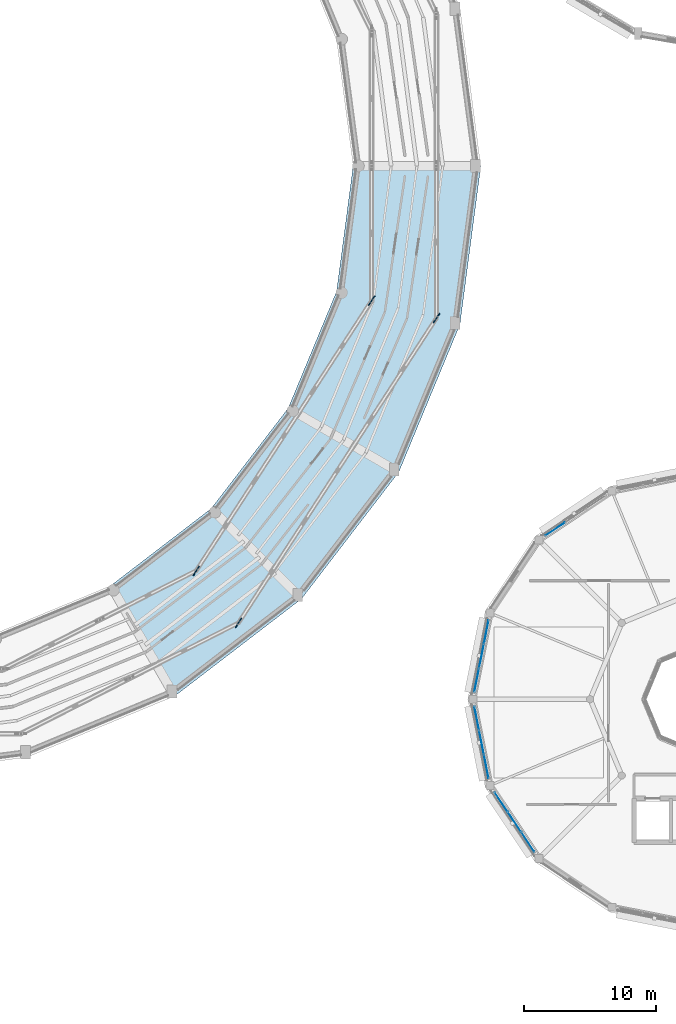
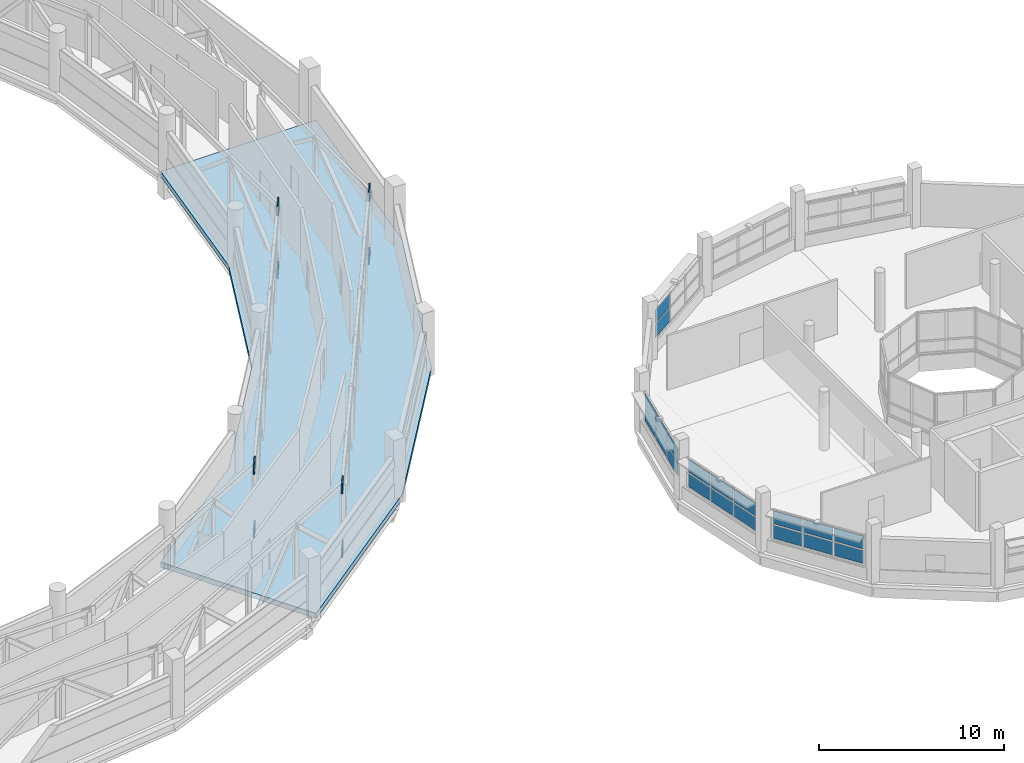
# One storey, part 90 of 121: 28 plates, 1 slab, 4 elements without a shape of their own.
"""IFC4 building model written with IfcOpenShell, lengths in metres."""

import ifcopenshell
import ifcopenshell.guid

model = None  # the IFC model being written
_history = None  # IfcOwnerHistory: only IFC2X3 demands one
_inside = {}  # id of a spatial element -> (the spatial element, [elements in it])
_under = {}  # id of a project, library or spatial element -> (it, [spatial elements below it])
_declared = {}  # id of a project -> (the project, [libraries it declares])
_typed = {}  # id of a type object -> (the type object, [elements of that type])
_made_of = {}  # id of a material, layer set ... -> (it, [elements and type objects made of it])


def new_model(schema):
    """Start an empty IFC model of exactly this schema.

    Asked for "IFC4X3", IfcOpenShell would pick the latest addendum, in which some entities
    have other attributes; the version numbers below select the first issue.
    IFC2X3 requires an IfcOwnerHistory on every rooted entity: one is made here for all.
    """
    global model, _history
    if schema == "IFC4X3":
        model = ifcopenshell.file(schema_version=(4, 3, 0, 0))
    else:
        model = ifcopenshell.file(schema=schema)
    _inside.clear()
    _under.clear()
    _declared.clear()
    _typed.clear()
    _made_of.clear()
    _history = None
    if model.schema == "IFC2X3":
        org = make("IfcOrganization", Name="unknown")
        user = make(
            "IfcPersonAndOrganization",
            ThePerson=make("IfcPerson", FamilyName="unknown"),
            TheOrganization=org,
        )
        app = make(
            "IfcApplication",
            ApplicationDeveloper=org,
            Version="unknown",
            ApplicationFullName="unknown",
            ApplicationIdentifier="unknown",
        )
        _history = make(
            "IfcOwnerHistory",
            OwningUser=user,
            OwningApplication=app,
            ChangeAction="ADDED",
            CreationDate=0,
        )
    return model


def make(cls, **values):
    """One entity of the class cls with the attributes given. An attribute that is None is left unset."""
    return model.create_entity(
        cls, **{name: value for name, value in values.items() if value is not None}
    )


def rooted(cls, **values):
    """An entity with a GlobalId (a new one), such as an element, a storey or a relation."""
    return make(cls, GlobalId=ifcopenshell.guid.new(), OwnerHistory=_history, **values)


def si_unit(unit_type, name, prefix=None):
    """IfcSIUnit, for example si_unit("LENGTHUNIT", "METRE", prefix="MILLI")."""
    return make("IfcSIUnit", UnitType=unit_type, Prefix=prefix, Name=name)


def assignment(units):
    """IfcUnitAssignment: the units of a project."""
    return None if units is None else make("IfcUnitAssignment", Units=units)


def point(xyz):
    """IfcCartesianPoint."""
    return None if xyz is None else make("IfcCartesianPoint", Coordinates=xyz)


def direction(xyz):
    """IfcDirection."""
    return None if xyz is None else make("IfcDirection", DirectionRatios=xyz)


def frame(location, z_axis=None, x_axis=None):
    """IfcAxis2Placement3D, a coordinate frame: its origin and axes. An axis left out is left unset."""
    return make(
        "IfcAxis2Placement3D",
        Location=point(location),
        Axis=direction(z_axis),
        RefDirection=direction(x_axis),
    )


def frame_2d(location, x_axis=None):
    """IfcAxis2Placement2D, a coordinate frame in the plane: its origin and x axis."""
    return make(
        "IfcAxis2Placement2D", Location=point(location), RefDirection=direction(x_axis)
    )


def origin():
    """The frame at (0, 0, 0) with its axes left unset."""
    return frame((0.0, 0.0, 0.0))


def origin_2d():
    """The frame at (0, 0) in the plane with its x axis left unset."""
    return frame_2d((0.0, 0.0))


def place(relative_to, where):
    """IfcLocalPlacement: puts the frame where relative to a parent placement (None: the world)."""
    return make(
        "IfcLocalPlacement", PlacementRelTo=relative_to, RelativePlacement=where
    )


def context(
    kind, dimensions, precision=None, world=None, true_north=None, identifier=None
):
    """IfcGeometricRepresentationContext, for example the 3D "Model" context."""
    return make(
        "IfcGeometricRepresentationContext",
        ContextIdentifier=identifier,
        ContextType=kind,
        CoordinateSpaceDimension=dimensions,
        Precision=precision,
        WorldCoordinateSystem=world,
        TrueNorth=true_north,
    )


def subcontext(parent, identifier, kind, view, scale=None):
    """IfcGeometricRepresentationSubContext, for example "Body" below "Model"."""
    return make(
        "IfcGeometricRepresentationSubContext",
        ContextIdentifier=identifier,
        ContextType=kind,
        ParentContext=parent,
        TargetScale=scale,
        TargetView=view,
    )


def project(units=None, contexts=None):
    """IfcProject with its units and contexts."""
    return rooted(
        "IfcProject",
        Name="project",
        RepresentationContexts=contexts,
        UnitsInContext=assignment(units),
    )


def spatial(cls, under=None, at=None, **own):
    """A site, building, storey or space (cls), placed at a placement, below another one or the project."""
    s = rooted(cls, ObjectPlacement=at, **own)
    if under is not None:
        _under.setdefault(under.id(), (under, []))[1].append(s)
    return s


def polyline(points):
    """IfcPolyline through the points."""
    return make("IfcPolyline", Points=[point(p) for p in points])


def profile(cls, at=None, kind="AREA", **sizes):
    """A parametric profile (cls). Its sizes go by their IFC names, for example OverallWidth=200.0."""
    return make(cls, ProfileType=kind, Position=at, **sizes)


def rectangle(**sizes):
    """IfcRectangleProfileDef."""
    return profile("IfcRectangleProfileDef", **sizes)


def outline(outer, holes=None, kind="AREA"):
    """IfcArbitraryClosedProfileDef: a profile drawn as a closed curve; with holes, ...WithVoids."""
    if holes is None:
        return make("IfcArbitraryClosedProfileDef", ProfileType=kind, OuterCurve=outer)
    return make(
        "IfcArbitraryProfileDefWithVoids",
        ProfileType=kind,
        OuterCurve=outer,
        InnerCurves=holes,
    )


def extrude(swept, where, along, depth):
    """IfcExtrudedAreaSolid: the profile swept, set in the frame where, extruded along a direction by depth."""
    return make(
        "IfcExtrudedAreaSolid",
        SweptArea=swept,
        Position=where,
        ExtrudedDirection=direction(along),
        Depth=depth,
    )


def shape(context_of_items, identifier, shape_type, items):
    """IfcShapeRepresentation: the items that make up one representation, for example the "Body"."""
    return make(
        "IfcShapeRepresentation",
        ContextOfItems=context_of_items,
        RepresentationIdentifier=identifier,
        RepresentationType=shape_type,
        Items=items,
    )


def material(Name=None, Category=None):
    """IfcMaterial."""
    return make("IfcMaterial", Name=Name, Category=Category)


def layer(
    of_material, thickness, ventilated=None, Name=None, Category=None, Priority=None
):
    """IfcMaterialLayer: one layer of a wall or slab, of a material (None: an air gap)."""
    return make(
        "IfcMaterialLayer",
        Material=of_material,
        LayerThickness=thickness,
        IsVentilated=ventilated,
        Name=Name,
        Category=Category,
        Priority=Priority,
    )


def layer_set(layers, Name=None):
    """IfcMaterialLayerSet."""
    return make("IfcMaterialLayerSet", MaterialLayers=layers, LayerSetName=Name)


def made_of(thing, what):
    """Note that an element or type object is made of a material, layer set ...; save() writes the relation."""
    if what is not None:
        _made_of.setdefault(what.id(), (what, []))[1].append(thing)
    return thing


def type_object(cls, material=None, **own):
    """A type object (cls), such as IfcWallType, which elements share."""
    return made_of(rooted(cls, **own), material)


def element(
    cls,
    number,
    at=None,
    inside=None,
    cuts=None,
    type_object=None,
    material=None,
    context=None,
    identifier="Body",
    shape_type=None,
    held_by="IfcProductDefinitionShape",
    body=None,
    shapes=None,
    **own,
):
    """One element of the class cls, such as IfcWall. Its Tag is "e" and its number.

    at: its placement. inside: the storey or other place that contains it. cuts: it is an
    opening in that element (IfcRelVoidsElement). A single representation is given by context,
    identifier, shape_type and body (its items); several are given by shapes. held_by: the class
    of the entity that holds the representations. save() writes the other relations.
    """
    e = rooted(cls, Tag="e%d" % number, ObjectPlacement=at, **own)
    if body is not None:
        shapes = [shape(context, identifier, shape_type, body)]
    if shapes is not None:
        e.Representation = make(held_by, Representations=shapes)
    if inside is not None:
        _inside.setdefault(inside.id(), (inside, []))[1].append(e)
    if cuts is not None:
        rooted(
            "IfcRelVoidsElement", RelatingBuildingElement=cuts, RelatedOpeningElement=e
        )
    if type_object is not None:
        _typed.setdefault(type_object.id(), (type_object, []))[1].append(e)
    return made_of(e, material)


def aggregate(whole, parts):
    """IfcRelAggregates: a whole, such as a stair, and the parts it consists of."""
    return rooted("IfcRelAggregates", RelatingObject=whole, RelatedObjects=parts)


def save(model, path):
    """Write the relations noted so far, then the file.

    IfcRelAggregates (storeys below a building ...), IfcRelContainedInSpatialStructure (elements
    in a storey), IfcRelDefinesByType, IfcRelAssociatesMaterial and IfcRelDeclares: one each for
    every whole, place, type object, material and project.
    """
    for whole, parts in _under.values():
        aggregate(whole, parts)
    for where, things in _inside.values():
        rooted(
            "IfcRelContainedInSpatialStructure",
            RelatedElements=things,
            RelatingStructure=where,
        )
    for kind, things in _typed.values():
        rooted("IfcRelDefinesByType", RelatedObjects=things, RelatingType=kind)
    for what, things in _made_of.values():
        rooted("IfcRelAssociatesMaterial", RelatedObjects=things, RelatingMaterial=what)
    for by, libraries in _declared.values():
        rooted("IfcRelDeclares", RelatingContext=by, RelatedDefinitions=libraries)
    model.write(path)


model = new_model("IFC4")

# Units and contexts
model_context = context("Model", 3, precision=1e-05, world=origin(), true_north=direction((0.0, 1.0)))
body_context = subcontext(model_context, "Body", "Model", "MODEL_VIEW")
ifc_project = project(units=[si_unit("LENGTHUNIT", "METRE"), si_unit("AREAUNIT", "SQUARE_METRE"), si_unit("VOLUMEUNIT", "CUBIC_METRE"), si_unit("PLANEANGLEUNIT", "RADIAN"), si_unit("MASSUNIT", "GRAM", prefix="KILO")], contexts=[model_context])

# Site, building, storey
site_placement = place(None, origin())
site = spatial("IfcSite", under=ifc_project, at=site_placement, CompositionType="ELEMENT")
building_placement = place(site_placement, origin())
building = spatial("IfcBuilding", under=site, at=building_placement, Name="Vespera Passage Community Centre", CompositionType="ELEMENT")
storey_placement = place(building_placement, frame((0.0, 0.0, 8.699951171875)))
storey = spatial("IfcBuildingStorey", under=building, at=storey_placement, Name="L02", CompositionType="ELEMENT", Elevation=8.699951171875)

# Curtain wall, plates
ifc_material_1 = material(Name="Anodized aluminium 6063-T6", Category="aluminium")
ifc_layer_1 = layer(ifc_material_1, 0.159912109375)
ifc_layer_set_1 = layer_set([ifc_layer_1], Name="Anodized aluminium 6063-T6")
curtain_wall_type_1 = type_object("IfcCurtainWallType", Name="CW-109E", PredefinedType="NOTDEFINED", material=ifc_layer_set_1)
curtain_wall_1_placement = place(storey_placement, origin())
curtain_wall_1 = element("IfcCurtainWall", 1, at=curtain_wall_1_placement, inside=storey, type_object=curtain_wall_type_1, Name="Dining Drum Ribbon Curtain Wall L02.6", PredefinedType="NOTDEFINED")
ifc_material_2 = material(Name="Low-E insulated vision glass", Category="glass")
ifc_layer_2 = layer(ifc_material_2, 0.02001953125)
ifc_layer_set_2 = layer_set([ifc_layer_2], Name="Low-E insulated vision glass")
plate_type_1 = type_object("IfcPlateType", Name="PL-CWP-20E", PredefinedType="CURTAIN_PANEL", material=ifc_layer_set_2)
plate_1_placement = place(storey_placement, frame((130.157470703125, 37.926025390625, 0.900146484375), z_axis=(0.0, 0.0, 1.0), x_axis=(0.831473308708, 0.555564700918, 0.0)))
plate_1 = element("IfcPlate", 2, at=plate_1_placement, type_object=plate_type_1, Name="CW-109E panel 1.1", PredefinedType="CURTAIN_PANEL", context=body_context, shape_type="SweptSolid", body=[
    extrude(rectangle(XDim=1.752685546875, YDim=0.02001953125, at=origin_2d()), origin(), (0.0, 0.0, 1.0), 0.857421875),
])
plate_2_placement = place(storey_placement, frame((130.157470703125, 37.926025390625, 1.857666015625), z_axis=(0.0, 0.0, 1.0), x_axis=(0.831473308708, 0.555564700918, 0.0)))
plate_2 = element("IfcPlate", 3, at=plate_2_placement, type_object=plate_type_1, Name="CW-109E panel 1.2", PredefinedType="CURTAIN_PANEL", context=body_context, shape_type="SweptSolid", body=[
    extrude(rectangle(XDim=1.752685546875, YDim=0.02001953125, at=origin_2d()), origin(), (0.0, 0.0, 1.0), 0.857421875),
])
aggregate(curtain_wall_1, [plate_1, plate_2])

ifc_material_3 = material(Name="Anodized aluminium 6063-T6", Category="aluminium")
ifc_layer_3 = layer(ifc_material_3, 0.159912109375)
ifc_layer_set_3 = layer_set([ifc_layer_3], Name="Anodized aluminium 6063-T6")
curtain_wall_type_2 = type_object("IfcCurtainWallType", Name="CW-108E", PredefinedType="NOTDEFINED", material=ifc_layer_set_3)
curtain_wall_2_placement = place(storey_placement, origin())
curtain_wall_2 = element("IfcCurtainWall", 4, at=curtain_wall_2_placement, inside=storey, type_object=curtain_wall_type_2, Name="Dining Drum Ribbon Curtain Wall L02.8", PredefinedType="NOTDEFINED")
plate_3_placement = place(storey_placement, frame((124.18603515625, 26.4375, 0.900146484375), z_axis=(0.0, 0.0, 1.0), x_axis=(0.195096778691, 0.980783996069, 0.0)))
plate_3 = element("IfcPlate", 5, at=plate_3_placement, type_object=plate_type_1, Name="CW-108E panel 1.1", PredefinedType="CURTAIN_PANEL", context=body_context, shape_type="SweptSolid", body=[
    extrude(rectangle(XDim=1.789306640625, YDim=0.02001953125, at=origin_2d()), origin(), (0.0, 0.0, 1.0), 0.857421875),
])
plate_4_placement = place(storey_placement, frame((124.18603515625, 26.4375, 1.857666015625), z_axis=(0.0, 0.0, 1.0), x_axis=(0.195096778691, 0.980783996069, 0.0)))
plate_4 = element("IfcPlate", 6, at=plate_4_placement, type_object=plate_type_1, Name="CW-108E panel 1.2", PredefinedType="CURTAIN_PANEL", context=body_context, shape_type="SweptSolid", body=[
    extrude(rectangle(XDim=1.789306640625, YDim=0.02001953125, at=origin_2d()), origin(), (0.0, 0.0, 1.0), 0.857421875),
])
plate_5_placement = place(storey_placement, frame((124.55078125, 28.27197265625, 0.900146484375), z_axis=(0.0, 0.0, 1.0), x_axis=(0.195096778691, 0.980783996069, 0.0)))
plate_5 = element("IfcPlate", 7, at=plate_5_placement, type_object=plate_type_1, Name="CW-108E panel 2.1", PredefinedType="CURTAIN_PANEL", context=body_context, shape_type="SweptSolid", body=[
    extrude(rectangle(XDim=1.82177734375, YDim=0.02001953125, at=origin_2d()), origin(), (0.0, 0.0, 1.0), 0.857421875),
])
plate_6_placement = place(storey_placement, frame((124.55078125, 28.27197265625, 1.857666015625), z_axis=(0.0, 0.0, 1.0), x_axis=(0.195096778691, 0.980783996069, 0.0)))
plate_6 = element("IfcPlate", 8, at=plate_6_placement, type_object=plate_type_1, Name="CW-108E panel 2.2", PredefinedType="CURTAIN_PANEL", context=body_context, shape_type="SweptSolid", body=[
    extrude(rectangle(XDim=1.82177734375, YDim=0.02001953125, at=origin_2d()), origin(), (0.0, 0.0, 1.0), 0.857421875),
])
plate_7_placement = place(storey_placement, frame((124.915771484375, 30.1064453125, 0.900146484375), z_axis=(0.0, 0.0, 1.0), x_axis=(0.195096778691, 0.980783996069, 0.0)))
plate_7 = element("IfcPlate", 9, at=plate_7_placement, type_object=plate_type_1, Name="CW-108E panel 3.1", PredefinedType="CURTAIN_PANEL", context=body_context, shape_type="SweptSolid", body=[
    extrude(rectangle(XDim=1.789306640625, YDim=0.02001953125, at=origin_2d()), origin(), (0.0, 0.0, 1.0), 0.857421875),
])
plate_8_placement = place(storey_placement, frame((124.915771484375, 30.1064453125, 1.857666015625), z_axis=(0.0, 0.0, 1.0), x_axis=(0.195096778691, 0.980783996069, 0.0)))
plate_8 = element("IfcPlate", 10, at=plate_8_placement, type_object=plate_type_1, Name="CW-108E panel 3.2", PredefinedType="CURTAIN_PANEL", context=body_context, shape_type="SweptSolid", body=[
    extrude(rectangle(XDim=1.789306640625, YDim=0.02001953125, at=origin_2d()), origin(), (0.0, 0.0, 1.0), 0.857421875),
])
aggregate(curtain_wall_2, [plate_3, plate_4, plate_5, plate_6, plate_7, plate_8])

curtain_wall_3_placement = place(storey_placement, origin())
curtain_wall_3 = element("IfcCurtainWall", 11, at=curtain_wall_3_placement, inside=storey, type_object=curtain_wall_type_2, Name="Dining Drum Ribbon Curtain Wall L02.9", PredefinedType="NOTDEFINED")
plate_9_placement = place(storey_placement, frame((124.915771484375, 19.8935546875, 0.900146484375), z_axis=(0.0, 0.0, 1.0), x_axis=(-0.195096778691, 0.980783996069, 0.0)))
plate_9 = element("IfcPlate", 12, at=plate_9_placement, type_object=plate_type_1, Name="CW-108E panel 1.1", PredefinedType="CURTAIN_PANEL", context=body_context, shape_type="SweptSolid", body=[
    extrude(rectangle(XDim=1.789306640625, YDim=0.02001953125, at=origin_2d()), origin(), (0.0, 0.0, 1.0), 0.857421875),
])
plate_10_placement = place(storey_placement, frame((124.915771484375, 19.8935546875, 1.857666015625), z_axis=(0.0, 0.0, 1.0), x_axis=(-0.195096778691, 0.980783996069, 0.0)))
plate_10 = element("IfcPlate", 13, at=plate_10_placement, type_object=plate_type_1, Name="CW-108E panel 1.2", PredefinedType="CURTAIN_PANEL", context=body_context, shape_type="SweptSolid", body=[
    extrude(rectangle(XDim=1.789306640625, YDim=0.02001953125, at=origin_2d()), origin(), (0.0, 0.0, 1.0), 0.857421875),
])
plate_11_placement = place(storey_placement, frame((124.55078125, 21.72802734375, 0.900146484375), z_axis=(0.0, 0.0, 1.0), x_axis=(-0.195096778691, 0.980783996069, 0.0)))
plate_11 = element("IfcPlate", 14, at=plate_11_placement, type_object=plate_type_1, Name="CW-108E panel 2.1", PredefinedType="CURTAIN_PANEL", context=body_context, shape_type="SweptSolid", body=[
    extrude(rectangle(XDim=1.82177734375, YDim=0.02001953125, at=origin_2d()), origin(), (0.0, 0.0, 1.0), 0.857421875),
])
plate_12_placement = place(storey_placement, frame((124.55078125, 21.72802734375, 1.857666015625), z_axis=(0.0, 0.0, 1.0), x_axis=(-0.195096778691, 0.980783996069, 0.0)))
plate_12 = element("IfcPlate", 15, at=plate_12_placement, type_object=plate_type_1, Name="CW-108E panel 2.2", PredefinedType="CURTAIN_PANEL", context=body_context, shape_type="SweptSolid", body=[
    extrude(rectangle(XDim=1.82177734375, YDim=0.02001953125, at=origin_2d()), origin(), (0.0, 0.0, 1.0), 0.857421875),
])
plate_13_placement = place(storey_placement, frame((124.18603515625, 23.5625, 0.900146484375), z_axis=(0.0, 0.0, 1.0), x_axis=(-0.195096778691, 0.980783996069, 0.0)))
plate_13 = element("IfcPlate", 16, at=plate_13_placement, type_object=plate_type_1, Name="CW-108E panel 3.1", PredefinedType="CURTAIN_PANEL", context=body_context, shape_type="SweptSolid", body=[
    extrude(rectangle(XDim=1.789306640625, YDim=0.02001953125, at=origin_2d()), origin(), (0.0, 0.0, 1.0), 0.857421875),
])
plate_14_placement = place(storey_placement, frame((124.18603515625, 23.5625, 1.857666015625), z_axis=(0.0, 0.0, 1.0), x_axis=(-0.195096778691, 0.980783996069, 0.0)))
plate_14 = element("IfcPlate", 17, at=plate_14_placement, type_object=plate_type_1, Name="CW-108E panel 3.2", PredefinedType="CURTAIN_PANEL", context=body_context, shape_type="SweptSolid", body=[
    extrude(rectangle(XDim=1.789306640625, YDim=0.02001953125, at=origin_2d()), origin(), (0.0, 0.0, 1.0), 0.857421875),
])
aggregate(curtain_wall_3, [plate_9, plate_10, plate_11, plate_12, plate_13, plate_14])

curtain_wall_4_placement = place(storey_placement, origin())
curtain_wall_4 = element("IfcCurtainWall", 18, at=curtain_wall_4_placement, inside=storey, type_object=curtain_wall_type_1, Name="Dining Drum Ribbon Curtain Wall L02.10", PredefinedType="NOTDEFINED")
plate_15_placement = place(storey_placement, frame((128.073974609375, 14.157470703125, 0.900146484375), z_axis=(0.0, 0.0, 1.0), x_axis=(-0.555564700918, 0.831473308708, 0.0)))
plate_15 = element("IfcPlate", 19, at=plate_15_placement, type_object=plate_type_1, Name="CW-109E panel 1.1", PredefinedType="CURTAIN_PANEL", context=body_context, shape_type="SweptSolid", body=[
    extrude(rectangle(XDim=1.752685546875, YDim=0.02001953125, at=origin_2d()), origin(), (0.0, 0.0, 1.0), 0.857421875),
])
plate_16_placement = place(storey_placement, frame((128.073974609375, 14.157470703125, 1.857666015625), z_axis=(0.0, 0.0, 1.0), x_axis=(-0.555564700918, 0.831473308708, 0.0)))
plate_16 = element("IfcPlate", 20, at=plate_16_placement, type_object=plate_type_1, Name="CW-109E panel 1.2", PredefinedType="CURTAIN_PANEL", context=body_context, shape_type="SweptSolid", body=[
    extrude(rectangle(XDim=1.752685546875, YDim=0.02001953125, at=origin_2d()), origin(), (0.0, 0.0, 1.0), 0.857421875),
])
plate_17_placement = place(storey_placement, frame((127.05517578125, 15.682373046875, 0.900146484375), z_axis=(0.0, 0.0, 1.0), x_axis=(-0.555564700918, 0.831473308708, 0.0)))
plate_17 = element("IfcPlate", 21, at=plate_17_placement, type_object=plate_type_1, Name="CW-109E panel 2.1", PredefinedType="CURTAIN_PANEL", context=body_context, shape_type="SweptSolid", body=[
    extrude(rectangle(XDim=1.78515625, YDim=0.02001953125, at=origin_2d()), origin(), (0.0, 0.0, 1.0), 0.857421875),
])
plate_18_placement = place(storey_placement, frame((127.05517578125, 15.682373046875, 1.857666015625), z_axis=(0.0, 0.0, 1.0), x_axis=(-0.555564700918, 0.831473308708, 0.0)))
plate_18 = element("IfcPlate", 22, at=plate_18_placement, type_object=plate_type_1, Name="CW-109E panel 2.2", PredefinedType="CURTAIN_PANEL", context=body_context, shape_type="SweptSolid", body=[
    extrude(rectangle(XDim=1.78515625, YDim=0.02001953125, at=origin_2d()), origin(), (0.0, 0.0, 1.0), 0.857421875),
])
plate_19_placement = place(storey_placement, frame((126.036376953125, 17.20703125, 0.900146484375), z_axis=(0.0, 0.0, 1.0), x_axis=(-0.555564700918, 0.831473308708, 0.0)))
plate_19 = element("IfcPlate", 23, at=plate_19_placement, type_object=plate_type_1, Name="CW-109E panel 3.1", PredefinedType="CURTAIN_PANEL", context=body_context, shape_type="SweptSolid", body=[
    extrude(rectangle(XDim=1.752685546875, YDim=0.02001953125, at=origin_2d()), origin(), (0.0, 0.0, 1.0), 0.857421875),
])
plate_20_placement = place(storey_placement, frame((126.036376953125, 17.20703125, 1.857666015625), z_axis=(0.0, 0.0, 1.0), x_axis=(-0.555564700918, 0.831473308708, 0.0)))
plate_20 = element("IfcPlate", 24, at=plate_20_placement, type_object=plate_type_1, Name="CW-109E panel 3.2", PredefinedType="CURTAIN_PANEL", context=body_context, shape_type="SweptSolid", body=[
    extrude(rectangle(XDim=1.752685546875, YDim=0.02001953125, at=origin_2d()), origin(), (0.0, 0.0, 1.0), 0.857421875),
])
aggregate(curtain_wall_4, [plate_15, plate_16, plate_17, plate_18, plate_19, plate_20])

# Plates
ifc_material_4 = material(Name="Steel ASTM A572 Grade 50", Category="steel")
ifc_layer_4 = layer(ifc_material_4, 0.074951171875)
ifc_layer_set_4 = layer_set([ifc_layer_4], Name="Steel ASTM A572 Grade 50")
plate_type_2 = type_object("IfcPlateType", Name="PL-NODE-75", PredefinedType="SHEET", material=ifc_layer_set_4)
for number, where, z_axis, x_axis, name in (
    (25, (106.09912109375, 30.80029296875, -1.10009765625), (0.0, 0.0, 1.0), (0.544639035015, 0.838670567945, 0.0), "Truss TR1O Gusset Plate B1"),
    (26, (106.09912109375, 30.80029296875, 3.110107421875), (0.0, 0.0, 1.0), (0.544639035015, 0.838670567945, 0.0), "Truss TR1O Gusset Plate T1"),
    (27, (121.128662109375, 53.943603515625, -1.10009765625), (0.0, 0.0, 1.0), (0.544639035015, 0.838670567945, 0.0), "Truss TR1O Gusset Plate B7"),
    (28, (121.128662109375, 53.943603515625, 3.110107421875), (0.0, 0.0, 1.0), (0.544639035015, 0.838670567945, 0.0), "Truss TR1O Gusset Plate T7"),
    (29, (102.8896484375, 34.763916015625, -1.10009765625), (0.0, 0.0, 1.0), (0.544639035015, 0.838670567945, 0.0), "Truss TR1I Gusset Plate B1"),
    (30, (102.8896484375, 34.763916015625, 3.110107421875), (0.0, 0.0, 1.0), (0.544639035015, 0.838670567945, 0.0), "Truss TR1I Gusset Plate T1"),
    (31, (116.202392578125, 55.263671875, -1.10009765625), (0.0, 0.0, 1.0), (0.544639035015, 0.838670567945, 0.0), "Truss TR1I Gusset Plate B7"),
    (32, (116.202392578125, 55.263671875, 3.110107421875), (0.0, 0.0, 1.0), (0.544639035015, 0.838670567945, 0.0), "Truss TR1I Gusset Plate T7"),
):
    element("IfcPlate", number, at=place(storey_placement, frame(where, z_axis=z_axis, x_axis=x_axis)), inside=storey, type_object=plate_type_2, Name=name, PredefinedType="SHEET", context=body_context, shape_type="SweptSolid", body=[
        extrude(rectangle(XDim=0.840087890625, YDim=0.074951171875, at=origin_2d()), origin(), (0.0, 0.0, 1.0), 0.6201171875),
    ])

# Slab
ifc_material_5 = material(Name="Concrete f'c 45 MPa", Category="concrete")
ifc_layer_5 = layer(ifc_material_5, 0.340087890625)
ifc_layer_set_5 = layer_set([ifc_layer_5], Name="Concrete f'c 45 MPa")
slab_type = type_object("IfcSlabType", Name="SL-XFER-340", PredefinedType="FLOOR", material=ifc_layer_set_5)
slab_placement = place(storey_placement, frame((0.0, 0.0, -0.33984375)))
element("IfcSlab", 33, at=slab_placement, inside=storey, type_object=slab_type, Name="V4 L02 Annular Sector 8 Slab", PredefinedType="FLOOR", context=body_context, shape_type="SweptSolid", body=[
    extrude(outline(polyline([(101.25, 25.229736328125), (110.880615234375, 32.619384765625), (118.270263671875, 42.25), (122.91552734375, 53.46484375), (124.5, 65.5), (114.800048828125, 65.5), (113.546142578125, 55.9755859375), (109.86962890625, 47.10009765625), (104.021484375, 39.478515625), (96.39990234375, 33.63037109375), (101.25, 25.229736328125)])), origin(), (0.0, 0.0, 1.0), 0.33984375),
])

save(model, "model.ifc")
